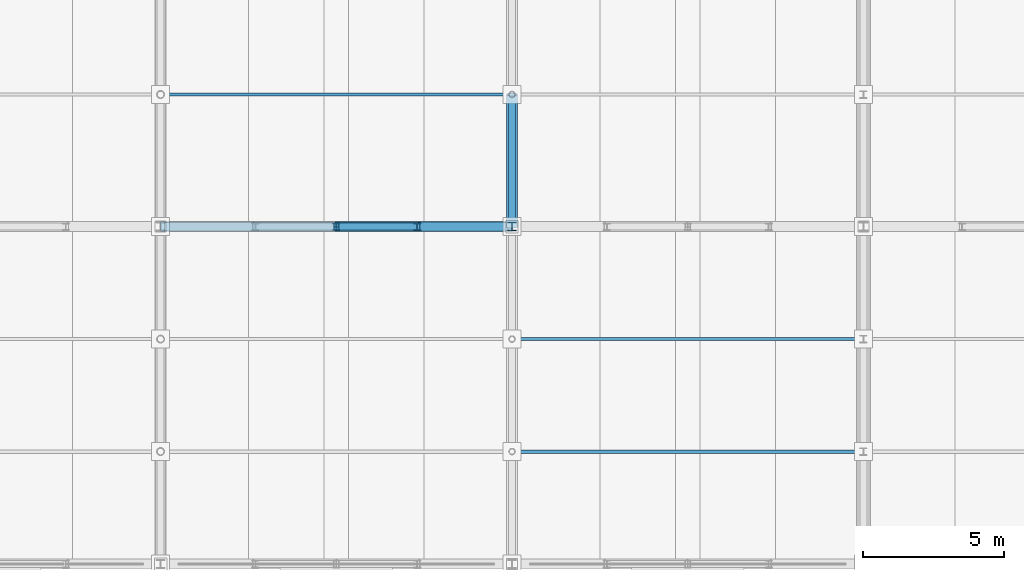
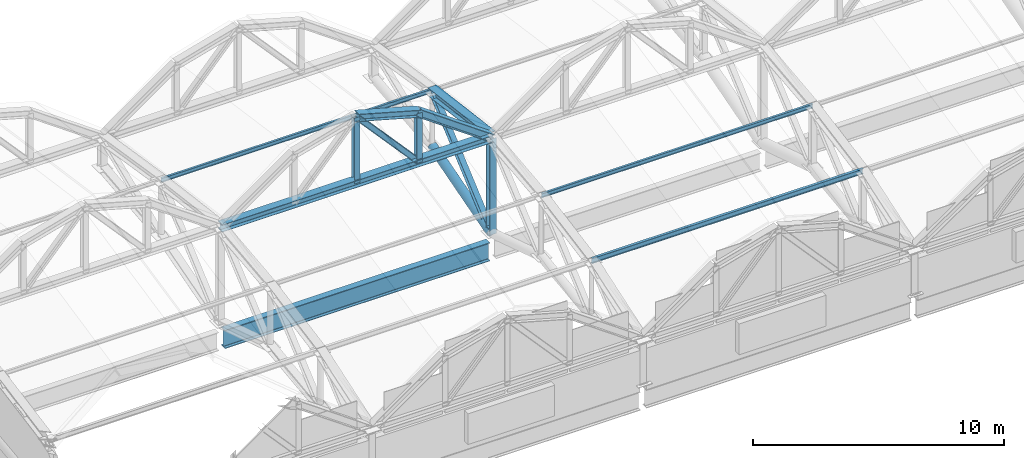
# One storey, part 20 of 117: 13 members, 1 beam.
"""IFC4 building model written with IfcOpenShell, lengths in metres."""

import ifcopenshell
import ifcopenshell.guid

model = None  # the IFC model being written
_history = None  # IfcOwnerHistory: only IFC2X3 demands one
_inside = {}  # id of a spatial element -> (the spatial element, [elements in it])
_under = {}  # id of a project, library or spatial element -> (it, [spatial elements below it])
_declared = {}  # id of a project -> (the project, [libraries it declares])
_typed = {}  # id of a type object -> (the type object, [elements of that type])
_made_of = {}  # id of a material, layer set ... -> (it, [elements and type objects made of it])


def new_model(schema):
    """Start an empty IFC model of exactly this schema.

    Asked for "IFC4X3", IfcOpenShell would pick the latest addendum, in which some entities
    have other attributes; the version numbers below select the first issue.
    IFC2X3 requires an IfcOwnerHistory on every rooted entity: one is made here for all.
    """
    global model, _history
    if schema == "IFC4X3":
        model = ifcopenshell.file(schema_version=(4, 3, 0, 0))
    else:
        model = ifcopenshell.file(schema=schema)
    _inside.clear()
    _under.clear()
    _declared.clear()
    _typed.clear()
    _made_of.clear()
    _history = None
    if model.schema == "IFC2X3":
        org = make("IfcOrganization", Name="unknown")
        user = make(
            "IfcPersonAndOrganization",
            ThePerson=make("IfcPerson", FamilyName="unknown"),
            TheOrganization=org,
        )
        app = make(
            "IfcApplication",
            ApplicationDeveloper=org,
            Version="unknown",
            ApplicationFullName="unknown",
            ApplicationIdentifier="unknown",
        )
        _history = make(
            "IfcOwnerHistory",
            OwningUser=user,
            OwningApplication=app,
            ChangeAction="ADDED",
            CreationDate=0,
        )
    return model


def make(cls, **values):
    """One entity of the class cls with the attributes given. An attribute that is None is left unset."""
    return model.create_entity(
        cls, **{name: value for name, value in values.items() if value is not None}
    )


def rooted(cls, **values):
    """An entity with a GlobalId (a new one), such as an element, a storey or a relation."""
    return make(cls, GlobalId=ifcopenshell.guid.new(), OwnerHistory=_history, **values)


def si_unit(unit_type, name, prefix=None):
    """IfcSIUnit, for example si_unit("LENGTHUNIT", "METRE", prefix="MILLI")."""
    return make("IfcSIUnit", UnitType=unit_type, Prefix=prefix, Name=name)


def assignment(units):
    """IfcUnitAssignment: the units of a project."""
    return None if units is None else make("IfcUnitAssignment", Units=units)


def point(xyz):
    """IfcCartesianPoint."""
    return None if xyz is None else make("IfcCartesianPoint", Coordinates=xyz)


def direction(xyz):
    """IfcDirection."""
    return None if xyz is None else make("IfcDirection", DirectionRatios=xyz)


def frame(location, z_axis=None, x_axis=None):
    """IfcAxis2Placement3D, a coordinate frame: its origin and axes. An axis left out is left unset."""
    return make(
        "IfcAxis2Placement3D",
        Location=point(location),
        Axis=direction(z_axis),
        RefDirection=direction(x_axis),
    )


def frame_2d(location, x_axis=None):
    """IfcAxis2Placement2D, a coordinate frame in the plane: its origin and x axis."""
    return make(
        "IfcAxis2Placement2D", Location=point(location), RefDirection=direction(x_axis)
    )


def origin():
    """The frame at (0, 0, 0) with its axes left unset."""
    return frame((0.0, 0.0, 0.0))


def origin_2d():
    """The frame at (0, 0) in the plane with its x axis left unset."""
    return frame_2d((0.0, 0.0))


def place(relative_to, where):
    """IfcLocalPlacement: puts the frame where relative to a parent placement (None: the world)."""
    return make(
        "IfcLocalPlacement", PlacementRelTo=relative_to, RelativePlacement=where
    )


def context(
    kind, dimensions, precision=None, world=None, true_north=None, identifier=None
):
    """IfcGeometricRepresentationContext, for example the 3D "Model" context."""
    return make(
        "IfcGeometricRepresentationContext",
        ContextIdentifier=identifier,
        ContextType=kind,
        CoordinateSpaceDimension=dimensions,
        Precision=precision,
        WorldCoordinateSystem=world,
        TrueNorth=true_north,
    )


def subcontext(parent, identifier, kind, view, scale=None):
    """IfcGeometricRepresentationSubContext, for example "Body" below "Model"."""
    return make(
        "IfcGeometricRepresentationSubContext",
        ContextIdentifier=identifier,
        ContextType=kind,
        ParentContext=parent,
        TargetScale=scale,
        TargetView=view,
    )


def project(units=None, contexts=None):
    """IfcProject with its units and contexts."""
    return rooted(
        "IfcProject",
        Name="project",
        RepresentationContexts=contexts,
        UnitsInContext=assignment(units),
    )


def spatial(cls, under=None, at=None, **own):
    """A site, building, storey or space (cls), placed at a placement, below another one or the project."""
    s = rooted(cls, ObjectPlacement=at, **own)
    if under is not None:
        _under.setdefault(under.id(), (under, []))[1].append(s)
    return s


def profile(cls, at=None, kind="AREA", **sizes):
    """A parametric profile (cls). Its sizes go by their IFC names, for example OverallWidth=200.0."""
    return make(cls, ProfileType=kind, Position=at, **sizes)


def hollow_circle(**sizes):
    """IfcCircleHollowProfileDef."""
    return profile("IfcCircleHollowProfileDef", **sizes)


def i_section(**sizes):
    """IfcIShapeProfileDef."""
    return profile("IfcIShapeProfileDef", **sizes)


def extrude(swept, where, along, depth):
    """IfcExtrudedAreaSolid: the profile swept, set in the frame where, extruded along a direction by depth."""
    return make(
        "IfcExtrudedAreaSolid",
        SweptArea=swept,
        Position=where,
        ExtrudedDirection=direction(along),
        Depth=depth,
    )


def shape(context_of_items, identifier, shape_type, items):
    """IfcShapeRepresentation: the items that make up one representation, for example the "Body"."""
    return make(
        "IfcShapeRepresentation",
        ContextOfItems=context_of_items,
        RepresentationIdentifier=identifier,
        RepresentationType=shape_type,
        Items=items,
    )


def material(Name=None, Category=None):
    """IfcMaterial."""
    return make("IfcMaterial", Name=Name, Category=Category)


def material_profile(
    of_material, cross_section, Name=None, Category=None, Priority=None
):
    """IfcMaterialProfile: a cross section and its material."""
    return make(
        "IfcMaterialProfile",
        Name=Name,
        Material=of_material,
        Profile=cross_section,
        Priority=Priority,
        Category=Category,
    )


def profile_set(profiles, Name=None, composite=None):
    """IfcMaterialProfileSet."""
    return make(
        "IfcMaterialProfileSet",
        Name=Name,
        MaterialProfiles=profiles,
        CompositeProfile=composite,
    )


def made_of(thing, what):
    """Note that an element or type object is made of a material, layer set ...; save() writes the relation."""
    if what is not None:
        _made_of.setdefault(what.id(), (what, []))[1].append(thing)
    return thing


def type_object(cls, material=None, **own):
    """A type object (cls), such as IfcWallType, which elements share."""
    return made_of(rooted(cls, **own), material)


def element(
    cls,
    number,
    at=None,
    inside=None,
    cuts=None,
    type_object=None,
    material=None,
    context=None,
    identifier="Body",
    shape_type=None,
    held_by="IfcProductDefinitionShape",
    body=None,
    shapes=None,
    **own,
):
    """One element of the class cls, such as IfcWall. Its Tag is "e" and its number.

    at: its placement. inside: the storey or other place that contains it. cuts: it is an
    opening in that element (IfcRelVoidsElement). A single representation is given by context,
    identifier, shape_type and body (its items); several are given by shapes. held_by: the class
    of the entity that holds the representations. save() writes the other relations.
    """
    e = rooted(cls, Tag="e%d" % number, ObjectPlacement=at, **own)
    if body is not None:
        shapes = [shape(context, identifier, shape_type, body)]
    if shapes is not None:
        e.Representation = make(held_by, Representations=shapes)
    if inside is not None:
        _inside.setdefault(inside.id(), (inside, []))[1].append(e)
    if cuts is not None:
        rooted(
            "IfcRelVoidsElement", RelatingBuildingElement=cuts, RelatedOpeningElement=e
        )
    if type_object is not None:
        _typed.setdefault(type_object.id(), (type_object, []))[1].append(e)
    return made_of(e, material)


def aggregate(whole, parts):
    """IfcRelAggregates: a whole, such as a stair, and the parts it consists of."""
    return rooted("IfcRelAggregates", RelatingObject=whole, RelatedObjects=parts)


def save(model, path):
    """Write the relations noted so far, then the file.

    IfcRelAggregates (storeys below a building ...), IfcRelContainedInSpatialStructure (elements
    in a storey), IfcRelDefinesByType, IfcRelAssociatesMaterial and IfcRelDeclares: one each for
    every whole, place, type object, material and project.
    """
    for whole, parts in _under.values():
        aggregate(whole, parts)
    for where, things in _inside.values():
        rooted(
            "IfcRelContainedInSpatialStructure",
            RelatedElements=things,
            RelatingStructure=where,
        )
    for kind, things in _typed.values():
        rooted("IfcRelDefinesByType", RelatedObjects=things, RelatingType=kind)
    for what, things in _made_of.values():
        rooted("IfcRelAssociatesMaterial", RelatedObjects=things, RelatingMaterial=what)
    for by, libraries in _declared.values():
        rooted("IfcRelDeclares", RelatingContext=by, RelatedDefinitions=libraries)
    model.write(path)


model = new_model("IFC4")

# Units and contexts
model_context = context("Model", 3, precision=1e-05, world=origin(), true_north=direction((0.0, 1.0)))
body_context = subcontext(model_context, "Body", "Model", "MODEL_VIEW")
ifc_project = project(units=[si_unit("LENGTHUNIT", "METRE"), si_unit("AREAUNIT", "SQUARE_METRE"), si_unit("VOLUMEUNIT", "CUBIC_METRE"), si_unit("PLANEANGLEUNIT", "RADIAN"), si_unit("MASSUNIT", "GRAM", prefix="KILO")], contexts=[model_context])

# Site, building, storey
site_placement = place(None, origin())
site = spatial("IfcSite", under=ifc_project, at=site_placement, CompositionType="ELEMENT")
building_placement = place(site_placement, origin())
building = spatial("IfcBuilding", under=site, at=building_placement, Name="Kazenohara Klinker Stadium", CompositionType="ELEMENT")
storey_placement = place(building_placement, frame((0.0, 0.0, 31.199951171875)))
storey = spatial("IfcBuildingStorey", under=building, at=storey_placement, Name="RF", CompositionType="ELEMENT", Elevation=31.199951171875)

# Members
ifc_material = material(Name="Steel S355", Category="steel")
ifc_material_profile_1 = material_profile(ifc_material, i_section(OverallWidth=0.25, OverallDepth=0.25, WebThickness=0.009033203125, FlangeThickness=0.013916015625, FilletRadius=0.012939453125, at=origin_2d()), Name="H-250x250x9x14")
ifc_profile_set_1 = profile_set([ifc_material_profile_1], Name="Steel S355")
member_type_1 = type_object("IfcMemberType", Name="MEM-BRC02", PredefinedType="BRACE", material=ifc_profile_set_1)
member_1_placement = place(storey_placement, frame((86.5, 36.0, -0.02001953125), z_axis=(0.0, 0.755945561544, 0.65463448426), x_axis=(-1.0, 0.0, 0.0)))
element("IfcMember", 1, at=member_1_placement, inside=storey, type_object=member_type_1, Name="ROOF TRUSS RT-S03 web diagonal 4", PredefinedType="BRACE", context=body_context, shape_type="SweptSolid", body=[
    extrude(i_section(OverallWidth=0.25, OverallDepth=0.25, WebThickness=0.009033203125, FlangeThickness=0.013916015625, FilletRadius=0.012939453125, at=origin_2d()), origin(), (0.0, 0.0, 1.0), 6.21728515625),
])
ifc_material_profile_2 = material_profile(ifc_material, i_section(OverallWidth=0.39990234375, OverallDepth=0.39990234375, WebThickness=0.012939453125, FlangeThickness=0.02099609375, FilletRadius=0.02197265625, at=origin_2d()), Name="H-400x400x13x21")
ifc_profile_set_2 = profile_set([ifc_material_profile_2], Name="Steel S355")
member_type_2 = type_object("IfcMemberType", Name="MEM-CHD01", PredefinedType="CHORD", material=ifc_profile_set_2)
member_2_placement = place(storey_placement, frame((86.5, 36.0, 4.650146484375), z_axis=(0.0, 0.99194702514, -0.126653461524), x_axis=(-1.0, 0.0, 0.0)))
element("IfcMember", 2, at=member_2_placement, inside=storey, type_object=member_type_2, Name="ROOF TRUSS RT-S03 top arched chord 4", PredefinedType="CHORD", context=body_context, shape_type="SweptSolid", body=[
    extrude(i_section(OverallWidth=0.39990234375, OverallDepth=0.39990234375, WebThickness=0.012939453125, FlangeThickness=0.02099609375, FilletRadius=0.02197265625, at=origin_2d()), origin(), (0.0, 0.0, 1.0), 4.738037109375),
])
ifc_material_profile_3 = material_profile(ifc_material, i_section(OverallWidth=0.35009765625, OverallDepth=0.35009765625, WebThickness=0.011962890625, FlangeThickness=0.01904296875, FilletRadius=0.012939453125, at=origin_2d()), Name="H-350x350x12x19")
ifc_profile_set_3 = profile_set([ifc_material_profile_3], Name="Steel S355")
member_type_3 = type_object("IfcMemberType", Name="MEM-CHD02", PredefinedType="CHORD", material=ifc_profile_set_3)
member_3_placement = place(storey_placement, frame((74.0, 36.0, 4.650146484375), z_axis=(1.0, 0.0, 0.0), x_axis=(0.0, 1.0, 0.0)))
element("IfcMember", 3, at=member_3_placement, inside=storey, type_object=member_type_3, Name="Barrel arch tie chord TC02 S-02-N3", PredefinedType="CHORD", context=body_context, shape_type="SweptSolid", body=[
    extrude(i_section(OverallWidth=0.35009765625, OverallDepth=0.35009765625, WebThickness=0.011962890625, FlangeThickness=0.01904296875, FilletRadius=0.012939453125, at=origin_2d()), origin(), (0.0, 0.0, 1.0), 12.5),
])
member_4_placement = place(storey_placement, frame((80.25, 36.0, 7.85009765625), z_axis=(0.963393567269, 0.0, -0.268091093745), x_axis=(0.0, 1.0, 0.0)))
element("IfcMember", 4, at=member_4_placement, inside=storey, type_object=member_type_3, Name="Barrel arch top rib TC02 S-02-N3-S3", PredefinedType="CHORD", context=body_context, shape_type="SweptSolid", body=[
    extrude(i_section(OverallWidth=0.35009765625, OverallDepth=0.35009765625, WebThickness=0.011962890625, FlangeThickness=0.01904296875, FilletRadius=0.012939453125, at=origin_2d()), origin(), (0.0, 0.0, 1.0), 2.984130859375),
])
member_5_placement = place(storey_placement, frame((83.125, 36.0, 7.050048828125), z_axis=(0.814966461491, 0.0, -0.579508124744), x_axis=(0.0, 1.0, 0.0)))
element("IfcMember", 5, at=member_5_placement, inside=storey, type_object=member_type_3, Name="Barrel arch top rib TC02 S-02-N3-S4", PredefinedType="CHORD", context=body_context, shape_type="SweptSolid", body=[
    extrude(i_section(OverallWidth=0.35009765625, OverallDepth=0.35009765625, WebThickness=0.011962890625, FlangeThickness=0.01904296875, FilletRadius=0.012939453125, at=origin_2d()), origin(), (0.0, 0.0, 1.0), 4.141357421875),
])
ifc_material_profile_4 = material_profile(ifc_material, hollow_circle(Radius=0.203125, WallThickness=0.011962890625, at=origin_2d()), Name="CHS-406.4x12")
ifc_profile_set_4 = profile_set([ifc_material_profile_4], Name="Steel S355")
member_type_4 = type_object("IfcMemberType", Name="MEM-CHD03", PredefinedType="CHORD", material=ifc_profile_set_4)
member_6_placement = place(storey_placement, frame((86.5, 36.0, -0.02001953125), z_axis=(0.0, 0.960038530088, 0.279867863012), x_axis=(-1.0, 0.0, 0.0)))
element("IfcMember", 6, at=member_6_placement, inside=storey, type_object=member_type_4, Name="ROOF TRUSS RT-S03 bottom arched chord 4", PredefinedType="CHORD", context=body_context, shape_type="SweptSolid", body=[
    extrude(hollow_circle(Radius=0.203125, WallThickness=0.011962890625, at=origin_2d()), origin(), (0.0, 0.0, 1.0), 4.8955078125),
])
ifc_material_profile_5 = material_profile(ifc_material, i_section(OverallWidth=0.125, OverallDepth=0.25, WebThickness=0.006103515625, FlangeThickness=0.009033203125, FilletRadius=0.008056640625, at=origin_2d()), Name="H-250x125x6x9")
ifc_profile_set_5 = profile_set([ifc_material_profile_5], Name="Steel S355")
member_type_5 = type_object("IfcMemberType", Name="MEM-PUR01", PredefinedType="PURLIN", material=ifc_profile_set_5)
member_7_placement = place(storey_placement, frame((86.5, 28.0, 3.469970703125), z_axis=(1.0, 0.0, 0.0), x_axis=(0.0, 1.0, 0.0)))
element("IfcMember", 7, at=member_7_placement, inside=storey, type_object=member_type_5, Name="Canopy valley tie purlin PR01 S-03-N1", PredefinedType="PURLIN", context=body_context, shape_type="SweptSolid", body=[
    extrude(i_section(OverallWidth=0.125, OverallDepth=0.25, WebThickness=0.006103515625, FlangeThickness=0.009033203125, FilletRadius=0.008056640625, at=origin_2d()), origin(), (0.0, 0.0, 1.0), 12.5),
])
ifc_material_profile_6 = material_profile(ifc_material, i_section(OverallWidth=0.10009765625, OverallDepth=0.199951171875, WebThickness=0.005615234375, FlangeThickness=0.008056640625, FilletRadius=0.008056640625, at=origin_2d()), Name="H-200x100x5.5x8")
ifc_profile_set_6 = profile_set([ifc_material_profile_6], Name="Steel S355")
member_type_6 = type_object("IfcMemberType", Name="MEM-PUR02", PredefinedType="PURLIN", material=ifc_profile_set_6)
for number, where, z_axis, x_axis, name in (
    (8, (74.0, 40.699951171875, 4.070068359375), (1.0, 0.0, 0.0), (0.0, 1.0, 0.0), "Canopy valley tie purlin PR02 S-02-N4"),
    (9, (86.5, 32.0, 4.219970703125), (1.0, 0.0, 0.0), (0.0, 1.0, 0.0), "Canopy valley tie purlin PR02 S-03-N2"),
):
    element("IfcMember", number, at=place(storey_placement, frame(where, z_axis=z_axis, x_axis=x_axis)), inside=storey, type_object=member_type_6, Name=name, PredefinedType="PURLIN", context=body_context, shape_type="SweptSolid", body=[
        extrude(i_section(OverallWidth=0.10009765625, OverallDepth=0.199951171875, WebThickness=0.005615234375, FlangeThickness=0.008056640625, FilletRadius=0.008056640625, at=origin_2d()), origin(), (0.0, 0.0, 1.0), 12.5),
    ])
ifc_material_profile_7 = material_profile(ifc_material, i_section(OverallWidth=0.300048828125, OverallDepth=0.300048828125, WebThickness=0.010009765625, FlangeThickness=0.014892578125, FilletRadius=0.012939453125, at=origin_2d()), Name="H-300x300x10x15")
ifc_profile_set_7 = profile_set([ifc_material_profile_7], Name="Steel S355")
member_type_7 = type_object("IfcMemberType", Name="MEM-STR01", PredefinedType="STRUT", material=ifc_profile_set_7)
member_8_placement = place(storey_placement, frame((86.5, 36.0, -0.02001953125), z_axis=(0.0, 0.0, 1.0), x_axis=(1.0, 0.0, 0.0)))
element("IfcMember", 10, at=member_8_placement, inside=storey, type_object=member_type_7, Name="ROOF TRUSS RT-S03 web post 4", PredefinedType="STRUT", context=body_context, shape_type="SweptSolid", body=[
    extrude(i_section(OverallWidth=0.300048828125, OverallDepth=0.300048828125, WebThickness=0.010009765625, FlangeThickness=0.014892578125, FilletRadius=0.012939453125, at=origin_2d()), origin(), (0.0, 0.0, 1.0), 4.670166015625),
])
ifc_material_profile_8 = material_profile(ifc_material, i_section(OverallWidth=0.25, OverallDepth=0.25, WebThickness=0.009033203125, FlangeThickness=0.013916015625, FilletRadius=0.012939453125, at=origin_2d()), Name="H-250x250x9x14")
ifc_profile_set_8 = profile_set([ifc_material_profile_8], Name="Steel S355")
member_type_8 = type_object("IfcMemberType", Name="MEM-STR02", PredefinedType="STRUT", material=ifc_profile_set_8)
member_9_placement = place(storey_placement, frame((80.25, 36.0, 4.650146484375), z_axis=(0.0, 0.0, 1.0), x_axis=(1.0, 0.0, 0.0)))
element("IfcMember", 11, at=member_9_placement, inside=storey, type_object=member_type_8, Name="Barrel arch web post TS02 S-02-N3-P2", PredefinedType="STRUT", context=body_context, shape_type="SweptSolid", body=[
    extrude(i_section(OverallWidth=0.25, OverallDepth=0.25, WebThickness=0.009033203125, FlangeThickness=0.013916015625, FilletRadius=0.012939453125, at=origin_2d()), origin(), (0.0, 0.0, 1.0), 3.199951171875),
])
member_10_placement = place(storey_placement, frame((83.125, 36.0, 4.650146484375), z_axis=(0.0, 0.0, 1.0), x_axis=(1.0, 0.0, 0.0)))
element("IfcMember", 12, at=member_10_placement, inside=storey, type_object=member_type_8, Name="Barrel arch web post TS02 S-02-N3-P3", PredefinedType="STRUT", context=body_context, shape_type="SweptSolid", body=[
    extrude(i_section(OverallWidth=0.25, OverallDepth=0.25, WebThickness=0.009033203125, FlangeThickness=0.013916015625, FilletRadius=0.012939453125, at=origin_2d()), origin(), (0.0, 0.0, 1.0), 2.39990234375),
])
member_11_placement = place(storey_placement, frame((83.125, 36.0, 4.650146484375), z_axis=(-0.668327970369, 0.0, 0.74386673808), x_axis=(0.0, -1.0, 0.0)))
element("IfcMember", 13, at=member_11_placement, inside=storey, type_object=member_type_8, Name="Barrel arch web diagonal TS02 S-02-N3-D2", PredefinedType="STRUT", context=body_context, shape_type="SweptSolid", body=[
    extrude(i_section(OverallWidth=0.25, OverallDepth=0.25, WebThickness=0.009033203125, FlangeThickness=0.013916015625, FilletRadius=0.012939453125, at=origin_2d()), origin(), (0.0, 0.0, 1.0), 4.3017578125),
])

# Beam
ifc_material_profile_9 = material_profile(ifc_material, i_section(OverallWidth=0.300048828125, OverallDepth=0.89990234375, WebThickness=0.01611328125, FlangeThickness=0.028076171875, FilletRadius=0.02197265625, at=origin_2d()), Name="H-900x300x16x28")
ifc_profile_set_9 = profile_set([ifc_material_profile_9], Name="Steel S355")
beam_type = type_object("IfcBeamType", Name="RING-RB01", PredefinedType="USERDEFINED", material=ifc_profile_set_9)
beam_placement = place(storey_placement, frame((74.139892578125, 36.0, -0.820068359375), z_axis=(1.0, 0.0, 0.0), x_axis=(0.0, 1.0, 0.0)))
element("IfcBeam", 14, at=beam_placement, inside=storey, type_object=beam_type, Name="Roof ring beam RB01 S-IN 7-8", ObjectType="RING BEAM", PredefinedType="USERDEFINED", context=body_context, shape_type="SweptSolid", body=[
    extrude(i_section(OverallWidth=0.300048828125, OverallDepth=0.89990234375, WebThickness=0.01611328125, FlangeThickness=0.028076171875, FilletRadius=0.02197265625, at=origin_2d()), origin(), (0.0, 0.0, 1.0), 12.22021484375),
])

save(model, "model.ifc")
